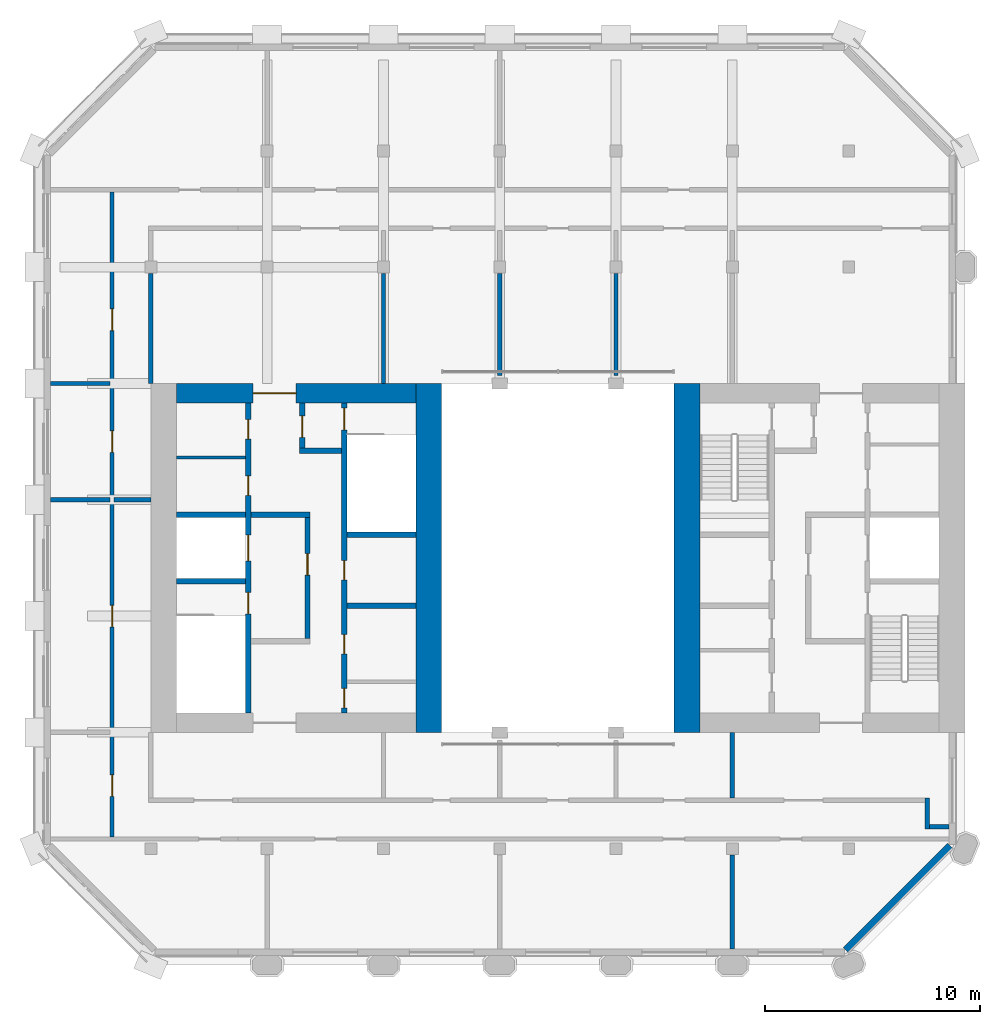
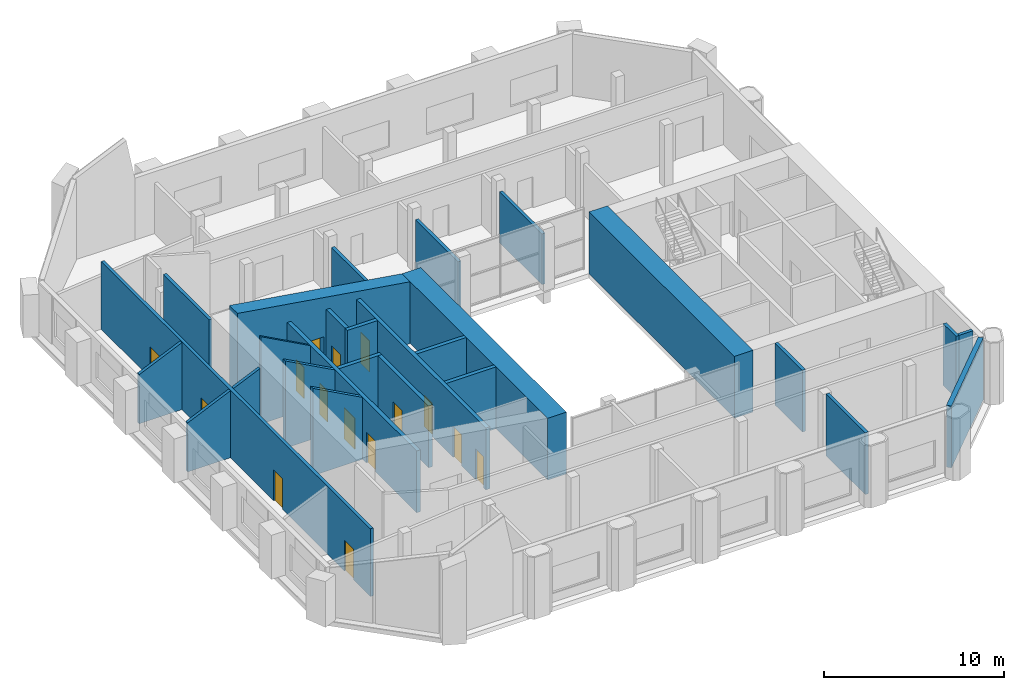
# One storey, part 7 of 11: 27 walls, 15 doors, 15 openings.
"""IFC4 building model written with IfcOpenShell, lengths in metres."""

from ifc_helpers import new_model, si_unit, direction, frame, frame_2d, origin, place, context, subcontext, project, spatial, polyline, rectangle, outline, extrude, material, layer, layer_set, type_object, element, fill, save


model = new_model("IFC4")

# Units and contexts
model_context = context("Model", 3, precision=1e-05, world=origin(), true_north=direction((0.0, 1.0)))
body_context = subcontext(model_context, "Body", "Model", "MODEL_VIEW")
ifc_project = project(units=[si_unit("LENGTHUNIT", "METRE"), si_unit("AREAUNIT", "SQUARE_METRE"), si_unit("VOLUMEUNIT", "CUBIC_METRE"), si_unit("PLANEANGLEUNIT", "RADIAN"), si_unit("MASSUNIT", "GRAM", prefix="KILO")], contexts=[model_context])

# Site, building, storey
site_placement = place(None, origin())
site = spatial("IfcSite", under=ifc_project, at=site_placement, CompositionType="ELEMENT")
building_placement = place(site_placement, origin())
building = spatial("IfcBuilding", under=site, at=building_placement, Name="Tabaq Tower and Sports Hall", CompositionType="ELEMENT")
storey_placement = place(building_placement, frame((0.0, 0.0, 321.699951171875)))
storey = spatial("IfcBuildingStorey", under=building, at=storey_placement, Name="L80", CompositionType="ELEMENT", Elevation=321.699951171875)

# Walls
ifc_material_1 = material(Name="Blockwork", Category="masonry")
ifc_layer_1 = layer(ifc_material_1, 0.14990234375)
ifc_layer_set_1 = layer_set([ifc_layer_1], Name="Core room partition 150 Blockwork")
wall_type_1 = type_object("IfcWallType", Name="Core room partition 150 Blockwork", PredefinedType="PARTITIONING", material=ifc_layer_set_1)
wall_1_placement = place(storey_placement, frame((6.60009765625, 28.962890625, 0.0), z_axis=(0.0, 0.0, 1.0), x_axis=(1.0, 0.0, 0.0)))
element("IfcWall", 1, at=wall_1_placement, inside=storey, type_object=wall_type_1, Name="Core room partition W L80", PredefinedType="PARTITIONING", context=body_context, shape_type="SweptSolid", body=[
    extrude(outline(polyline([(0.0, 0.0), (3.199951171875, 0.0), (3.199951171875, 4.199951171875), (0.0, 5.933349609375), (0.0, 0.0)])), frame((0.0, 0.074951171875, 0.0), z_axis=(0.0, -1.0, 0.0), x_axis=(1.0, 0.0, 0.0)), (0.0, 0.0, 1.0), 0.14990234375),
])
ifc_material_2 = material(Name="Concrete C40/50", Category="concrete")
ifc_layer_2 = layer(ifc_material_2, 1.199951171875)
ifc_layer_set_2 = layer_set([ifc_layer_2], Name="Core wall 1200 Concrete C40/50")
wall_type_2 = type_object("IfcWallType", Name="Core wall 1200 Concrete C40/50", PredefinedType="SOLIDWALL", material=ifc_layer_set_2)
for number, where, z_axis, x_axis, name in (
    (2, (18.300048828125, 32.39990234375, 0.0), (0.0, 0.0, 1.0), (0.0, -1.0, 0.0), "Core wall W L80"),
    (3, (30.300048828125, 16.199951171875, 0.0), (0.0, 0.0, 1.0), (0.0, 1.0, 0.0), "Core wall E L80"),
):
    element("IfcWall", number, at=place(storey_placement, frame(where, z_axis=z_axis, x_axis=x_axis)), inside=storey, type_object=wall_type_2, Name=name, PredefinedType="SOLIDWALL", context=body_context, shape_type="SweptSolid", body=[
        extrude(rectangle(XDim=16.199951171875, YDim=1.199951171875, at=frame_2d((8.10009765625, 0.0))), origin(), (0.0, 0.0, 1.0), 4.199951171875),
    ])

# Wall, opening, door
ifc_material_3 = material(Name="Concrete C40/50", Category="concrete")
ifc_layer_3 = layer(ifc_material_3, 0.89990234375)
ifc_layer_set_3 = layer_set([ifc_layer_3], Name="Core wall 900 Concrete C40/50")
wall_type_3 = type_object("IfcWallType", Name="Core wall 900 Concrete C40/50", PredefinedType="SOLIDWALL", material=ifc_layer_set_3)
wall_2_placement = place(storey_placement, frame((6.60009765625, 31.949951171875, 0.0), z_axis=(0.0, 0.0, 1.0), x_axis=(1.0, 0.0, 0.0)))
wall_2 = element("IfcWall", 4, at=wall_2_placement, inside=storey, type_object=wall_type_3, Name="Core wall W L80", PredefinedType="SOLIDWALL", context=body_context, shape_type="SweptSolid", body=[
    extrude(outline(polyline([(0.0, 0.0), (11.099853515625, 0.0), (11.10009765625, 4.199951171875), (0.0, 5.933349609375), (0.0, 0.0)])), frame((0.0, 0.449951171875, 0.0), z_axis=(0.0, -1.0, 0.0), x_axis=(1.0, 0.0, 0.0)), (0.0, 0.0, 1.0), 0.89990234375),
])
opening_1_placement = place(wall_2_placement, frame((3.550048828125, 0.0, 0.0)))
opening_1 = element("IfcOpeningElement", 5, at=opening_1_placement, cuts=wall_2, Name="Opening PD-WL80-02", PredefinedType="OPENING", context=body_context, shape_type="SweptSolid", body=[
    extrude(rectangle(XDim=2.0, YDim=2.39990234375, at=frame_2d((1.0, 1.199951171875))), frame((0.0, 0.449951171875, 0.0), z_axis=(0.0, -1.0, 0.0), x_axis=(1.0, 0.0, 0.0)), (0.0, 0.0, 1.0), 0.89990234375),
])
ifc_material_4 = material(Name="Steel fire door", Category="steel")
door_type_1 = type_object("IfcDoorType", Name="Core entrance door 2000", OperationType="DOUBLE_DOOR_SINGLE_SWING", PredefinedType="DOOR", material=ifc_material_4)
door_1_placement = place(opening_1_placement, origin())
door_1 = element("IfcDoor", 6, at=door_1_placement, inside=storey, type_object=door_type_1, Name="Core entrance north W L80", OperationType="DOUBLE_DOOR_SINGLE_SWING", OverallHeight=2.39990234375, OverallWidth=2.0, PredefinedType="DOOR", context=body_context, shape_type="SweptSolid", body=[
    extrude(rectangle(XDim=2.0, YDim=2.39990234375, at=frame_2d((1.0, 1.199951171875))), frame((0.0, 0.02490234375, 0.0), z_axis=(0.0, -1.0, 0.0), x_axis=(1.0, 0.0, 0.0)), (0.0, 0.0, 1.0), 0.050048828125),
])
fill(opening_1, door_1)

# Walls
ifc_material_5 = material(Name="Blockwork", Category="masonry")
ifc_layer_4 = layer(ifc_material_5, 0.199951171875)
ifc_layer_set_4 = layer_set([ifc_layer_4], Name="Fire compartment wall 200 Blockwork")
wall_type_4 = type_object("IfcWallType", Name="Fire compartment wall 200 Blockwork", PredefinedType="PARTITIONING", material=ifc_layer_set_4)
wall_3_placement = place(storey_placement, frame((0.7509765625, 32.39990234375, 0.0), z_axis=(0.0, 0.0, 1.0), x_axis=(1.0, 0.0, 0.0)))
element("IfcWall", 7, at=wall_3_placement, inside=storey, type_object=wall_type_4, Name="Compartment wall L80", PredefinedType="PARTITIONING", context=body_context, shape_type="SweptSolid", body=[
    extrude(outline(polyline([(0.0, 0.0), (2.7490234375, 0.0), (2.7490234375, 4.5556640625), (0.0, 3.333740234375), (0.0, 0.0)])), frame((0.0, 0.10009765625, 0.0), z_axis=(0.0, -1.0, 0.0), x_axis=(1.0, 0.0, 0.0)), (0.0, 0.0, 1.0), 0.199951171875),
])
for number, where, z_axis, x_axis, name in (
    (8, (27.0, 37.5048828125, 0.0), (0.0, 0.0, 1.0), (0.0, -1.0, 0.0), "Compartment wall L80"),
    (9, (21.60009765625, 37.5048828125, 0.0), (0.0, 0.0, 1.0), (0.0, -1.0, 0.0), "Compartment wall L80"),
):
    element("IfcWall", number, at=place(storey_placement, frame(where, z_axis=z_axis, x_axis=x_axis)), inside=storey, type_object=wall_type_4, Name=name, PredefinedType="PARTITIONING", context=body_context, shape_type="SweptSolid", body=[
        extrude(rectangle(XDim=4.73486328125, YDim=0.199951171875, at=frame_2d((2.367431640625, 0.0))), origin(), (0.0, 0.0, 1.0), 3.449951171875),
    ])
wall_4_placement = place(storey_placement, frame((16.199951171875, 37.5048828125, 0.0), z_axis=(0.0, 0.0, 1.0), x_axis=(0.0, -1.0, 0.0)))
element("IfcWall", 10, at=wall_4_placement, inside=storey, type_object=wall_type_4, Name="Compartment wall L80", PredefinedType="PARTITIONING", context=body_context, shape_type="SweptSolid", body=[
    extrude(rectangle(XDim=5.10498046875, YDim=0.199951171875, at=frame_2d((2.552490234375, 0.0))), origin(), (0.0, 0.0, 1.0), 3.449951171875),
])
wall_5_placement = place(storey_placement, frame((0.7509765625, 27.0, 0.0), z_axis=(0.0, 0.0, 1.0), x_axis=(1.0, 0.0, 0.0)))
element("IfcWall", 11, at=wall_5_placement, inside=storey, type_object=wall_type_4, Name="Compartment wall L80", PredefinedType="PARTITIONING", context=body_context, shape_type="SweptSolid", body=[
    extrude(outline(polyline([(0.0, 0.0), (2.7490234375, 0.0), (2.7490234375, 4.5556640625), (0.0, 3.333740234375), (0.0, 0.0)])), frame((0.0, 0.10009765625, 0.0), z_axis=(0.0, -1.0, 0.0), x_axis=(1.0, 0.0, 0.0)), (0.0, 0.0, 1.0), 0.199951171875),
])
wall_6_placement = place(storey_placement, frame((5.39990234375, 37.5048828125, 0.0), z_axis=(0.0, 0.0, 1.0), x_axis=(0.0, -1.0, 0.0)))
element("IfcWall", 12, at=wall_6_placement, inside=storey, type_object=wall_type_4, Name="Compartment wall L80", PredefinedType="PARTITIONING", context=body_context, shape_type="SweptSolid", body=[
    extrude(rectangle(XDim=5.10498046875, YDim=0.199951171875, at=frame_2d((2.552490234375, 0.0))), origin(), (0.0, 0.0, 1.0), 5.400146484375),
])
wall_7_placement = place(storey_placement, frame((3.699951171875, 27.0, 0.0), z_axis=(0.0, 0.0, 1.0), x_axis=(1.0, 0.0, 0.0)))
element("IfcWall", 13, at=wall_7_placement, inside=storey, type_object=wall_type_4, Name="Compartment wall L80", PredefinedType="PARTITIONING", context=body_context, shape_type="SweptSolid", body=[
    extrude(outline(polyline([(0.0, 0.0), (1.699951171875, 0.0), (1.699951171875, 5.400146484375), (0.0, 4.64453125), (0.0, 0.0)])), frame((0.0, 0.10009765625, 0.0), z_axis=(0.0, -1.0, 0.0), x_axis=(1.0, 0.0, 0.0)), (0.0, 0.0, 1.0), 0.199951171875),
])
wall_8_placement = place(storey_placement, frame((32.39990234375, 10.5048828125, 0.0), z_axis=(0.0, 0.0, 1.0), x_axis=(0.0, -1.0, 0.0)))
element("IfcWall", 14, at=wall_8_placement, inside=storey, type_object=wall_type_4, Name="Compartment wall L80", PredefinedType="PARTITIONING", context=body_context, shape_type="SweptSolid", body=[
    extrude(rectangle(XDim=4.35400390625, YDim=0.199951171875, at=frame_2d((2.177001953125, 0.0))), origin(), (0.0, 0.0, 1.0), 4.199951171875),
])
wall_9_placement = place(storey_placement, frame((32.39990234375, 13.14990234375, 0.0), z_axis=(0.0, 0.0, 1.0), x_axis=(0.0, 1.0, 0.0)))
element("IfcWall", 15, at=wall_9_placement, inside=storey, type_object=wall_type_4, Name="Compartment wall L80", PredefinedType="PARTITIONING", context=body_context, shape_type="SweptSolid", body=[
    extrude(rectangle(XDim=3.050048828125, YDim=0.199951171875, at=frame_2d((1.52490234375, 0.0))), origin(), (0.0, 0.0, 1.0), 4.199951171875),
])

# Wall, openings, doors
wall_10_placement = place(storey_placement, frame((3.60009765625, 11.35009765625, 0.0), z_axis=(0.0, 0.0, 1.0), x_axis=(0.0, 1.0, 0.0)))
wall_10 = element("IfcWall", 16, at=wall_10_placement, inside=storey, type_object=wall_type_4, Name="Compartment wall L80", PredefinedType="PARTITIONING", context=body_context, shape_type="SweptSolid", body=[
    extrude(rectangle(XDim=29.949951171875, YDim=0.199951171875, at=frame_2d((14.97509765625, 0.0))), origin(), (0.0, 0.0, 1.0), 4.60009765625),
])
opening_2_placement = place(wall_10_placement, frame((23.508056640625, 0.0, 0.0)))
opening_2 = element("IfcOpeningElement", 17, at=opening_2_placement, cuts=wall_10, Name="Opening L80-001", PredefinedType="OPENING", context=body_context, shape_type="SweptSolid", body=[
    extrude(rectangle(XDim=1.0, YDim=2.10009765625, at=frame_2d((0.5, 1.050048828125))), frame((0.0, 0.10009765625, 0.0), z_axis=(0.0, -1.0, 0.0), x_axis=(1.0, 0.0, 0.0)), (0.0, 0.0, 1.0), 0.199951171875),
])
opening_3_placement = place(wall_10_placement, frame((17.85009765625, 0.0, 0.0)))
opening_3 = element("IfcOpeningElement", 18, at=opening_3_placement, cuts=wall_10, Name="Opening L80-008", PredefinedType="OPENING", context=body_context, shape_type="SweptSolid", body=[
    extrude(rectangle(XDim=1.0, YDim=2.10009765625, at=frame_2d((0.5, 1.050048828125))), frame((0.0, 0.10009765625, 0.0), z_axis=(0.0, -1.0, 0.0), x_axis=(1.0, 0.0, 0.0)), (0.0, 0.0, 1.0), 0.199951171875),
])
opening_4_placement = place(wall_10_placement, frame((1.875, 0.0, 0.0)))
opening_4 = element("IfcOpeningElement", 19, at=opening_4_placement, cuts=wall_10, Name="Opening L80-009", PredefinedType="OPENING", context=body_context, shape_type="SweptSolid", body=[
    extrude(rectangle(XDim=1.0, YDim=2.10009765625, at=frame_2d((0.5, 1.050048828125))), frame((0.0, 0.10009765625, 0.0), z_axis=(0.0, -1.0, 0.0), x_axis=(1.0, 0.0, 0.0)), (0.0, 0.0, 1.0), 0.199951171875),
])
opening_5_placement = place(wall_10_placement, frame((9.75, 0.0, 0.0)))
opening_5 = element("IfcOpeningElement", 20, at=opening_5_placement, cuts=wall_10, Name="Opening L80-017", PredefinedType="OPENING", context=body_context, shape_type="SweptSolid", body=[
    extrude(rectangle(XDim=1.0, YDim=2.10009765625, at=frame_2d((0.5, 1.050048828125))), frame((0.0, 0.10009765625, 0.0), z_axis=(0.0, -1.0, 0.0), x_axis=(1.0, 0.0, 0.0)), (0.0, 0.0, 1.0), 0.199951171875),
])
ifc_material_6 = material(Name="Steel fire door", Category="steel")
door_type_2 = type_object("IfcDoorType", Name="Plant room door 1000 left hand", OperationType="SINGLE_SWING_LEFT", PredefinedType="DOOR", material=ifc_material_6)
door_2_placement = place(opening_5_placement, origin())
door_2 = element("IfcDoor", 21, at=door_2_placement, inside=storey, type_object=door_type_2, Name="Plant room door L80-017", OperationType="SINGLE_SWING_LEFT", OverallHeight=2.10009765625, OverallWidth=1.0, PredefinedType="DOOR", context=body_context, shape_type="SweptSolid", body=[
    extrude(rectangle(XDim=1.0, YDim=2.10009765625, at=frame_2d((0.5, 1.050048828125))), frame((0.0, 0.02490234375, 0.0), z_axis=(0.0, -1.0, 0.0), x_axis=(1.0, 0.0, 0.0)), (0.0, 0.0, 1.0), 0.050048828125),
])
fill(opening_5, door_2)
ifc_material_7 = material(Name="Steel fire door", Category="steel")
door_type_3 = type_object("IfcDoorType", Name="Plant room door 1000 right hand", OperationType="SINGLE_SWING_RIGHT", PredefinedType="DOOR", material=ifc_material_7)
door_3_placement = place(opening_2_placement, origin())
door_3 = element("IfcDoor", 22, at=door_3_placement, inside=storey, type_object=door_type_3, Name="Plant room door L80-001", OperationType="SINGLE_SWING_RIGHT", OverallHeight=2.10009765625, OverallWidth=1.0, PredefinedType="DOOR", context=body_context, shape_type="SweptSolid", body=[
    extrude(rectangle(XDim=1.0, YDim=2.10009765625, at=frame_2d((0.5, 1.050048828125))), frame((0.0, 0.02490234375, 0.0), z_axis=(0.0, -1.0, 0.0), x_axis=(1.0, 0.0, 0.0)), (0.0, 0.0, 1.0), 0.050048828125),
])
fill(opening_2, door_3)
door_4_placement = place(opening_4_placement, origin())
door_4 = element("IfcDoor", 23, at=door_4_placement, inside=storey, type_object=door_type_3, Name="Plant room door L80-009", OperationType="SINGLE_SWING_RIGHT", OverallHeight=2.10009765625, OverallWidth=1.0, PredefinedType="DOOR", context=body_context, shape_type="SweptSolid", body=[
    extrude(rectangle(XDim=1.0, YDim=2.10009765625, at=frame_2d((0.5, 1.050048828125))), frame((0.0, 0.02490234375, 0.0), z_axis=(0.0, -1.0, 0.0), x_axis=(1.0, 0.0, 0.0)), (0.0, 0.0, 1.0), 0.050048828125),
])
fill(opening_4, door_4)
ifc_material_8 = material(Name="Steel fire door", Category="steel")
door_type_4 = type_object("IfcDoorType", Name="Riser door 1000 left hand", OperationType="SINGLE_SWING_LEFT", PredefinedType="DOOR", material=ifc_material_8)
door_5_placement = place(opening_3_placement, origin())
door_5 = element("IfcDoor", 24, at=door_5_placement, inside=storey, type_object=door_type_4, Name="Riser door L80-008", OperationType="SINGLE_SWING_LEFT", OverallHeight=2.10009765625, OverallWidth=1.0, PredefinedType="DOOR", context=body_context, shape_type="SweptSolid", body=[
    extrude(rectangle(XDim=1.0, YDim=2.10009765625, at=frame_2d((0.5, 1.050048828125))), frame((0.0, 0.02490234375, 0.0), z_axis=(0.0, -1.0, 0.0), x_axis=(1.0, 0.0, 0.0)), (0.0, 0.0, 1.0), 0.050048828125),
])
fill(opening_3, door_5)

# Walls
wall_11_placement = place(storey_placement, frame((41.448974609375, 13.14990234375, 0.0), z_axis=(0.0, 0.0, 1.0), x_axis=(0.00085543168, -0.999999634118, 0.0)))
element("IfcWall", 25, at=wall_11_placement, inside=storey, type_object=wall_type_4, Name="Compartment wall L80", PredefinedType="PARTITIONING", context=body_context, shape_type="SweptSolid", body=[
    extrude(rectangle(XDim=1.427001953125, YDim=0.199951171875, at=frame_2d((0.71337890625, 0.0))), origin(), (0.0, 0.0, 1.0), 4.199951171875),
])
wall_12_placement = place(storey_placement, frame((41.550048828125, 11.822998046875, 0.0), z_axis=(0.0, 0.0, 1.0), x_axis=(1.0, 0.0, 0.0)))
element("IfcWall", 26, at=wall_12_placement, inside=storey, type_object=wall_type_4, Name="Compartment wall L80", PredefinedType="PARTITIONING", context=body_context, shape_type="SweptSolid", body=[
    extrude(rectangle(XDim=0.89990234375, YDim=0.199951171875, at=frame_2d((0.449951171875, 0.0))), origin(), (0.0, 0.0, 1.0), 4.199951171875),
])

# Wall, openings, doors
ifc_material_9 = material(Name="Concrete C40/50", Category="concrete")
ifc_layer_5 = layer(ifc_material_9, 0.25)
ifc_layer_set_5 = layer_set([ifc_layer_5], Name="Shaft and stair wall 250 Concrete C40/50")
wall_type_5 = type_object("IfcWallType", Name="Shaft and stair wall 250 Concrete C40/50", PredefinedType="SOLIDWALL", material=ifc_layer_set_5)
wall_13_placement = place(storey_placement, frame((9.925048828125, 17.10009765625, 0.0), z_axis=(0.0, 0.0, 1.0), x_axis=(0.0, 1.0, 0.0)))
wall_13 = element("IfcWall", 27, at=wall_13_placement, inside=storey, type_object=wall_type_5, Name="Shaft wall W L80", PredefinedType="SOLIDWALL", context=body_context, shape_type="SweptSolid", body=[
    extrude(rectangle(XDim=14.39990234375, YDim=0.25, at=frame_2d((7.199951171875, 0.0))), origin(), (0.0, 0.0, 1.0), 4.199951171875),
])
opening_6_placement = place(wall_13_placement, frame((4.60009765625, 0.0, 0.0)))
opening_6 = element("IfcOpeningElement", 28, at=opening_6_placement, cuts=wall_13, Name="Opening SD-WL80-03", PredefinedType="OPENING", context=body_context, shape_type="SweptSolid", body=[
    extrude(rectangle(XDim=1.0, YDim=2.10009765625, at=frame_2d((0.5, 1.050048828125))), frame((0.0, 0.125, 0.0), z_axis=(0.0, -1.0, 0.0), x_axis=(1.0, 0.0, 0.0)), (0.0, 0.0, 1.0), 0.25),
])
opening_7_placement = place(wall_13_placement, frame((7.0625, 0.0, 0.0)))
opening_7 = element("IfcOpeningElement", 29, at=opening_7_placement, cuts=wall_13, Name="Opening LD-FF1-L80", PredefinedType="OPENING", context=body_context, shape_type="SweptSolid", body=[
    extrude(rectangle(XDim=1.199951171875, YDim=2.10009765625, at=frame_2d((0.60009765625, 1.050048828125))), frame((0.0, 0.125, 0.0), z_axis=(0.0, -1.0, 0.0), x_axis=(1.0, 0.0, 0.0)), (0.0, 0.0, 1.0), 0.25),
])
opening_8_placement = place(wall_13_placement, frame((10.1064453125, 0.0, 0.0)))
opening_8 = element("IfcOpeningElement", 30, at=opening_8_placement, cuts=wall_13, Name="Opening RD-WL80-08", PredefinedType="OPENING", context=body_context, shape_type="SweptSolid", body=[
    extrude(rectangle(XDim=0.89990234375, YDim=2.10009765625, at=frame_2d((0.449951171875, 1.050048828125))), frame((0.0, 0.125, 0.0), z_axis=(0.0, -1.0, 0.0), x_axis=(1.0, 0.0, 0.0)), (0.0, 0.0, 1.0), 0.25),
])
opening_9_placement = place(wall_13_placement, frame((12.718994140625, 0.0, 0.0)))
opening_9 = element("IfcOpeningElement", 31, at=opening_9_placement, cuts=wall_13, Name="Opening RD-WL80-09", PredefinedType="OPENING", context=body_context, shape_type="SweptSolid", body=[
    extrude(rectangle(XDim=0.89990234375, YDim=2.10009765625, at=frame_2d((0.449951171875, 1.050048828125))), frame((0.0, 0.125, 0.0), z_axis=(0.0, -1.0, 0.0), x_axis=(1.0, 0.0, 0.0)), (0.0, 0.0, 1.0), 0.25),
])
ifc_material_10 = material(Name="Steel fire door", Category="steel")
door_type_5 = type_object("IfcDoorType", Name="Core room door 900", OperationType="SINGLE_SWING_LEFT", PredefinedType="DOOR", material=ifc_material_10)
door_6_placement = place(opening_8_placement, origin())
door_6 = element("IfcDoor", 32, at=door_6_placement, inside=storey, type_object=door_type_5, Name="Door Store Room W L80", OperationType="SINGLE_SWING_LEFT", OverallHeight=2.10009765625, OverallWidth=0.89990234375, PredefinedType="DOOR", context=body_context, shape_type="SweptSolid", body=[
    extrude(rectangle(XDim=0.89990234375, YDim=2.10009765625, at=frame_2d((0.449951171875, 1.050048828125))), frame((0.0, 0.02490234375, 0.0), z_axis=(0.0, -1.0, 0.0), x_axis=(1.0, 0.0, 0.0)), (0.0, 0.0, 1.0), 0.050048828125),
])
fill(opening_8, door_6)
door_7_placement = place(opening_9_placement, origin())
door_7 = element("IfcDoor", 33, at=door_7_placement, inside=storey, type_object=door_type_5, Name="Door Riser Room W L80", OperationType="SINGLE_SWING_LEFT", OverallHeight=2.10009765625, OverallWidth=0.89990234375, PredefinedType="DOOR", context=body_context, shape_type="SweptSolid", body=[
    extrude(rectangle(XDim=0.89990234375, YDim=2.10009765625, at=frame_2d((0.449951171875, 1.050048828125))), frame((0.0, 0.02490234375, 0.0), z_axis=(0.0, -1.0, 0.0), x_axis=(1.0, 0.0, 0.0)), (0.0, 0.0, 1.0), 0.050048828125),
])
fill(opening_9, door_7)
ifc_material_11 = material(Name="Stainless steel", Category="steel")
door_type_6 = type_object("IfcDoorType", Name="Lift landing door 1200", OperationType="DOUBLE_DOOR_SLIDING", PredefinedType="DOOR", material=ifc_material_11)
door_8_placement = place(opening_7_placement, origin())
door_8 = element("IfcDoor", 34, at=door_8_placement, inside=storey, type_object=door_type_6, Name="Lift landing door FF1 W L80", OperationType="DOUBLE_DOOR_SLIDING", OverallHeight=2.10009765625, OverallWidth=1.199951171875, PredefinedType="DOOR", context=body_context, shape_type="SweptSolid", body=[
    extrude(rectangle(XDim=1.199951171875, YDim=2.10009765625, at=frame_2d((0.60009765625, 1.050048828125))), frame((0.0, 0.02490234375, 0.0), z_axis=(0.0, -1.0, 0.0), x_axis=(1.0, 0.0, 0.0)), (0.0, 0.0, 1.0), 0.050048828125),
])
fill(opening_7, door_8)
ifc_material_12 = material(Name="Steel fire door", Category="steel")
door_type_7 = type_object("IfcDoorType", Name="Stair door 1000", OperationType="SINGLE_SWING_LEFT", PredefinedType="DOOR", material=ifc_material_12)
door_9_placement = place(opening_6_placement, origin())
door_9 = element("IfcDoor", 35, at=door_9_placement, inside=storey, type_object=door_type_7, Name="Stair door ST1 W L80", OperationType="SINGLE_SWING_LEFT", OverallHeight=2.10009765625, OverallWidth=1.0, PredefinedType="DOOR", context=body_context, shape_type="SweptSolid", body=[
    extrude(rectangle(XDim=1.0, YDim=2.10009765625, at=frame_2d((0.5, 1.050048828125))), frame((0.0, 0.02490234375, 0.0), z_axis=(0.0, -1.0, 0.0), x_axis=(1.0, 0.0, 0.0)), (0.0, 0.0, 1.0), 0.050048828125),
])
fill(opening_6, door_9)

wall_14_placement = place(storey_placement, frame((14.375, 17.10009765625, 0.0), z_axis=(0.0, 0.0, 1.0), x_axis=(0.0, 1.0, 0.0)))
wall_14 = element("IfcWall", 36, at=wall_14_placement, inside=storey, type_object=wall_type_5, Name="Shaft wall W L80", PredefinedType="SOLIDWALL", context=body_context, shape_type="SweptSolid", body=[
    extrude(rectangle(XDim=14.39990234375, YDim=0.25, at=frame_2d((7.199951171875, 0.0))), origin(), (0.0, 0.0, 1.0), 4.199951171875),
])
opening_10_placement = place(wall_14_placement, frame((13.14990234375, 0.0, 0.0)))
opening_10 = element("IfcOpeningElement", 37, at=opening_10_placement, cuts=wall_14, Name="Opening SD-WL80-05", PredefinedType="OPENING", context=body_context, shape_type="SweptSolid", body=[
    extrude(rectangle(XDim=1.0, YDim=2.10009765625, at=frame_2d((0.5, 1.050048828125))), frame((0.0, 0.125, 0.0), z_axis=(0.0, -1.0, 0.0), x_axis=(1.0, 0.0, 0.0)), (0.0, 0.0, 1.0), 0.25),
])
opening_11_placement = place(wall_14_placement, frame((0.239990234375, 0.0, 0.0)))
opening_11 = element("IfcOpeningElement", 38, at=opening_11_placement, cuts=wall_14, Name="Opening RD-WL80-10", PredefinedType="OPENING", context=body_context, shape_type="SweptSolid", body=[
    extrude(rectangle(XDim=0.89990234375, YDim=2.10009765625, at=frame_2d((0.449951171875, 1.050048828125))), frame((0.0, 0.125, 0.0), z_axis=(0.0, -1.0, 0.0), x_axis=(1.0, 0.0, 0.0)), (0.0, 0.0, 1.0), 0.25),
])
opening_12_placement = place(wall_14_placement, frame((2.739990234375, 0.0, 0.0)))
opening_12 = element("IfcOpeningElement", 39, at=opening_12_placement, cuts=wall_14, Name="Opening RD-WL80-11", PredefinedType="OPENING", context=body_context, shape_type="SweptSolid", body=[
    extrude(rectangle(XDim=0.89990234375, YDim=2.10009765625, at=frame_2d((0.449951171875, 1.050048828125))), frame((0.0, 0.125, 0.0), z_axis=(0.0, -1.0, 0.0), x_axis=(1.0, 0.0, 0.0)), (0.0, 0.0, 1.0), 0.25),
])
opening_13_placement = place(wall_14_placement, frame((6.175048828125, 0.0, 0.0)))
opening_13 = element("IfcOpeningElement", 40, at=opening_13_placement, cuts=wall_14, Name="Opening RD-WL80-12", PredefinedType="OPENING", context=body_context, shape_type="SweptSolid", body=[
    extrude(rectangle(XDim=0.89990234375, YDim=2.10009765625, at=frame_2d((0.449951171875, 1.050048828125))), frame((0.0, 0.125, 0.0), z_axis=(0.0, -1.0, 0.0), x_axis=(1.0, 0.0, 0.0)), (0.0, 0.0, 1.0), 0.25),
])
door_10_placement = place(opening_11_placement, origin())
door_10 = element("IfcDoor", 41, at=door_10_placement, inside=storey, type_object=door_type_5, Name="Door Mechanical Plant Room W L80", OperationType="SINGLE_SWING_LEFT", OverallHeight=2.10009765625, OverallWidth=0.89990234375, PredefinedType="DOOR", context=body_context, shape_type="SweptSolid", body=[
    extrude(rectangle(XDim=0.89990234375, YDim=2.10009765625, at=frame_2d((0.449951171875, 1.050048828125))), frame((0.0, 0.02490234375, 0.0), z_axis=(0.0, -1.0, 0.0), x_axis=(1.0, 0.0, 0.0)), (0.0, 0.0, 1.0), 0.050048828125),
])
fill(opening_11, door_10)
door_11_placement = place(opening_12_placement, origin())
door_11 = element("IfcDoor", 42, at=door_11_placement, inside=storey, type_object=door_type_5, Name="Door Electrical Plant Room W L80", OperationType="SINGLE_SWING_LEFT", OverallHeight=2.10009765625, OverallWidth=0.89990234375, PredefinedType="DOOR", context=body_context, shape_type="SweptSolid", body=[
    extrude(rectangle(XDim=0.89990234375, YDim=2.10009765625, at=frame_2d((0.449951171875, 1.050048828125))), frame((0.0, 0.02490234375, 0.0), z_axis=(0.0, -1.0, 0.0), x_axis=(1.0, 0.0, 0.0)), (0.0, 0.0, 1.0), 0.050048828125),
])
fill(opening_12, door_11)
door_12_placement = place(opening_13_placement, origin())
door_12 = element("IfcDoor", 43, at=door_12_placement, inside=storey, type_object=door_type_5, Name="Door Riser Room W L80", OperationType="SINGLE_SWING_LEFT", OverallHeight=2.10009765625, OverallWidth=0.89990234375, PredefinedType="DOOR", context=body_context, shape_type="SweptSolid", body=[
    extrude(rectangle(XDim=0.89990234375, YDim=2.10009765625, at=frame_2d((0.449951171875, 1.050048828125))), frame((0.0, 0.02490234375, 0.0), z_axis=(0.0, -1.0, 0.0), x_axis=(1.0, 0.0, 0.0)), (0.0, 0.0, 1.0), 0.050048828125),
])
fill(opening_13, door_12)
door_13_placement = place(opening_10_placement, origin())
door_13 = element("IfcDoor", 44, at=door_13_placement, inside=storey, type_object=door_type_7, Name="Stair door ST2 W L80", OperationType="SINGLE_SWING_LEFT", OverallHeight=2.10009765625, OverallWidth=1.0, PredefinedType="DOOR", context=body_context, shape_type="SweptSolid", body=[
    extrude(rectangle(XDim=1.0, YDim=2.10009765625, at=frame_2d((0.5, 1.050048828125))), frame((0.0, 0.02490234375, 0.0), z_axis=(0.0, -1.0, 0.0), x_axis=(1.0, 0.0, 0.0)), (0.0, 0.0, 1.0), 0.050048828125),
])
fill(opening_10, door_13)

# Walls
wall_15_placement = place(storey_placement, frame((6.60009765625, 23.22509765625, 0.0), z_axis=(0.0, 0.0, 1.0), x_axis=(1.0, 0.0, 0.0)))
element("IfcWall", 45, at=wall_15_placement, inside=storey, type_object=wall_type_5, Name="Stair enclosure wall W L80", PredefinedType="SOLIDWALL", context=body_context, shape_type="SweptSolid", body=[
    extrude(outline(polyline([(0.0, 0.0), (3.199951171875, 0.0), (3.199951171875, 4.199951171875), (0.0, 5.933349609375), (0.0, 0.0)])), frame((0.0, 0.125, 0.0), z_axis=(0.0, -1.0, 0.0), x_axis=(1.0, 0.0, 0.0)), (0.0, 0.0, 1.0), 0.25),
])
for number, where, z_axis, x_axis, name in (
    (46, (14.5, 25.375, 0.0), (0.0, 0.0, 1.0), (1.0, 0.0, 0.0), "Stair enclosure wall W L80"),
    (47, (14.5, 22.074951171875, 0.0), (0.0, 0.0, 1.0), (1.0, 0.0, 0.0), "Shaft wall W L80"),
):
    element("IfcWall", number, at=place(storey_placement, frame(where, z_axis=z_axis, x_axis=x_axis)), inside=storey, type_object=wall_type_5, Name=name, PredefinedType="SOLIDWALL", context=body_context, shape_type="SweptSolid", body=[
        extrude(rectangle(XDim=3.199951171875, YDim=0.25, at=frame_2d((1.60009765625, 0.0))), origin(), (0.0, 0.0, 1.0), 4.199951171875),
    ])
wall_16_placement = place(storey_placement, frame((6.60009765625, 26.300048828125, 0.0), z_axis=(0.0, 0.0, 1.0), x_axis=(1.0, 0.0, 0.0)))
element("IfcWall", 48, at=wall_16_placement, inside=storey, type_object=wall_type_5, Name="Shaft wall W L80", PredefinedType="SOLIDWALL", context=body_context, shape_type="SweptSolid", body=[
    extrude(outline(polyline([(0.0, 0.0), (3.199951171875, 0.0), (3.199951171875, 4.199951171875), (0.0, 5.933349609375), (0.0, 0.0)])), frame((0.0, 0.125, 0.0), z_axis=(0.0, -1.0, 0.0), x_axis=(1.0, 0.0, 0.0)), (0.0, 0.0, 1.0), 0.25),
])
wall_17_placement = place(storey_placement, frame((10.050048828125, 26.300048828125, 0.0), z_axis=(0.0, 0.0, 1.0), x_axis=(1.0, 0.0, 0.0)))
element("IfcWall", 49, at=wall_17_placement, inside=storey, type_object=wall_type_5, Name="Fire-fighting lobby wall W L80", PredefinedType="SOLIDWALL", context=body_context, shape_type="SweptSolid", body=[
    extrude(rectangle(XDim=2.75, YDim=0.25, at=frame_2d((1.375, 0.0))), origin(), (0.0, 0.0, 1.0), 4.199951171875),
])

# Wall, opening, door
wall_18_placement = place(storey_placement, frame((12.425048828125, 29.39990234375, 0.0), z_axis=(0.0, 0.0, 1.0), x_axis=(0.0, 1.0, 0.0)))
wall_18 = element("IfcWall", 50, at=wall_18_placement, inside=storey, type_object=wall_type_5, Name="Fire-fighting lobby wall W L80", PredefinedType="SOLIDWALL", context=body_context, shape_type="SweptSolid", body=[
    extrude(rectangle(XDim=2.10009765625, YDim=0.25, at=frame_2d((1.050048828125, 0.0))), origin(), (0.0, 0.0, 1.0), 4.199951171875),
])
opening_14_placement = place(wall_18_placement, frame((0.5, 0.0, 0.0)))
opening_14 = element("IfcOpeningElement", 51, at=opening_14_placement, cuts=wall_18, Name="Opening FD-WL80-06", PredefinedType="OPENING", context=body_context, shape_type="SweptSolid", body=[
    extrude(rectangle(XDim=1.0, YDim=2.10009765625, at=frame_2d((0.5, 1.050048828125))), frame((0.0, 0.125, 0.0), z_axis=(0.0, -1.0, 0.0), x_axis=(1.0, 0.0, 0.0)), (0.0, 0.0, 1.0), 0.25),
])
ifc_material_13 = material(Name="Steel fire door", Category="steel")
door_type_8 = type_object("IfcDoorType", Name="Fire-fighting lobby door 1000", OperationType="SINGLE_SWING_LEFT", PredefinedType="DOOR", material=ifc_material_13)
door_14_placement = place(opening_14_placement, origin())
door_14 = element("IfcDoor", 52, at=door_14_placement, inside=storey, type_object=door_type_8, Name="Stair lobby door W L80", OperationType="SINGLE_SWING_LEFT", OverallHeight=2.10009765625, OverallWidth=1.0, PredefinedType="DOOR", context=body_context, shape_type="SweptSolid", body=[
    extrude(rectangle(XDim=1.0, YDim=2.10009765625, at=frame_2d((0.5, 1.050048828125))), frame((0.0, 0.02490234375, 0.0), z_axis=(0.0, -1.0, 0.0), x_axis=(1.0, 0.0, 0.0)), (0.0, 0.0, 1.0), 0.050048828125),
])
fill(opening_14, door_14)

# Wall
wall_19_placement = place(storey_placement, frame((12.300048828125, 29.27490234375, 0.0), z_axis=(0.0, 0.0, 1.0), x_axis=(1.0, 0.0, 0.0)))
element("IfcWall", 53, at=wall_19_placement, inside=storey, type_object=wall_type_5, Name="Fire-fighting lobby wall W L80", PredefinedType="SOLIDWALL", context=body_context, shape_type="SweptSolid", body=[
    extrude(rectangle(XDim=1.949951171875, YDim=0.25, at=frame_2d((0.97509765625, 0.0))), origin(), (0.0, 0.0, 1.0), 4.199951171875),
])

# Wall, opening, door
wall_20_placement = place(storey_placement, frame((12.675048828125, 20.550048828125, 0.0), z_axis=(0.0, 0.0, 1.0), x_axis=(0.0, 1.0, 0.0)))
wall_20 = element("IfcWall", 54, at=wall_20_placement, inside=storey, type_object=wall_type_5, Name="Fire-fighting lobby wall W L80", PredefinedType="SOLIDWALL", context=body_context, shape_type="SweptSolid", body=[
    extrude(rectangle(XDim=5.625, YDim=0.25, at=frame_2d((2.8125, 0.0))), origin(), (0.0, 0.0, 1.0), 4.199951171875),
])
opening_15_placement = place(wall_20_placement, frame((2.949951171875, 0.0, 0.0)))
opening_15 = element("IfcOpeningElement", 55, at=opening_15_placement, cuts=wall_20, Name="Opening FD-WL80-04", PredefinedType="OPENING", context=body_context, shape_type="SweptSolid", body=[
    extrude(rectangle(XDim=1.0, YDim=2.10009765625, at=frame_2d((0.5, 1.050048828125))), frame((0.0, 0.125, 0.0), z_axis=(0.0, -1.0, 0.0), x_axis=(1.0, 0.0, 0.0)), (0.0, 0.0, 1.0), 0.25),
])
door_15_placement = place(opening_15_placement, origin())
door_15 = element("IfcDoor", 56, at=door_15_placement, inside=storey, type_object=door_type_8, Name="Fire-fighting lobby door W L80", OperationType="SINGLE_SWING_LEFT", OverallHeight=2.10009765625, OverallWidth=1.0, PredefinedType="DOOR", context=body_context, shape_type="SweptSolid", body=[
    extrude(rectangle(XDim=1.0, YDim=2.10009765625, at=frame_2d((0.5, 1.050048828125))), frame((0.0, 0.02490234375, 0.0), z_axis=(0.0, -1.0, 0.0), x_axis=(1.0, 0.0, 0.0)), (0.0, 0.0, 1.0), 0.050048828125),
])
fill(opening_15, door_15)

# Wall
ifc_material_14 = material(Name="White precast concrete C60/75", Category="concrete")
ifc_layer_6 = layer(ifc_material_14, 0.300048828125)
ifc_layer_set_6 = layer_set([ifc_layer_6], Name="White precast concrete C60/75 external wall 300")
wall_type_6 = type_object("IfcWallType", Name="White precast concrete C60/75 external wall 300", PredefinedType="SOLIDWALL", material=ifc_layer_set_6)
wall_21_placement = place(storey_placement, frame((37.650390625, 6.098876953125, 0.0), z_axis=(0.0, 0.0, 1.0), x_axis=(0.707106781187, 0.707106781187, 0.0)))
element("IfcWall", 57, at=wall_21_placement, inside=storey, type_object=wall_type_6, Name="External Wall L80 SE", PredefinedType="SOLIDWALL", context=body_context, shape_type="SweptSolid", body=[
    extrude(outline(polyline([(0.0, 0.0), (6.85986328125, 0.0), (6.859619140625, 4.199951171875), (6.2880859375, 4.199951171875), (5.71630859375, 4.199951171875), (5.144775390625, 4.199951171875), (4.5732421875, 4.199951171875), (4.00146484375, 4.199951171875), (3.429931640625, 4.199951171875), (2.858154296875, 4.199951171875), (2.28662109375, 4.199951171875), (1.71484375, 4.199951171875), (1.143310546875, 4.199951171875), (0.571533203125, 4.199951171875), (0.0, 4.199951171875), (0.0, 0.0)])), frame((0.0, 0.14990234375, 0.0), z_axis=(0.0, -1.0, 0.0), x_axis=(1.0, 0.0, 0.0)), (0.0, 0.0, 1.0), 0.300048828125),
])

save(model, "model.ifc")
